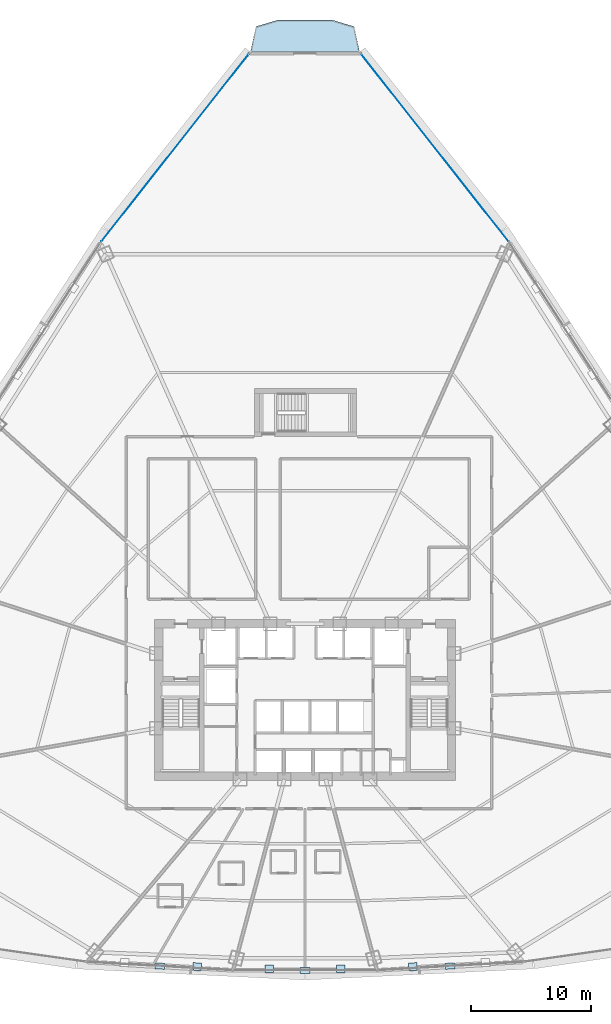
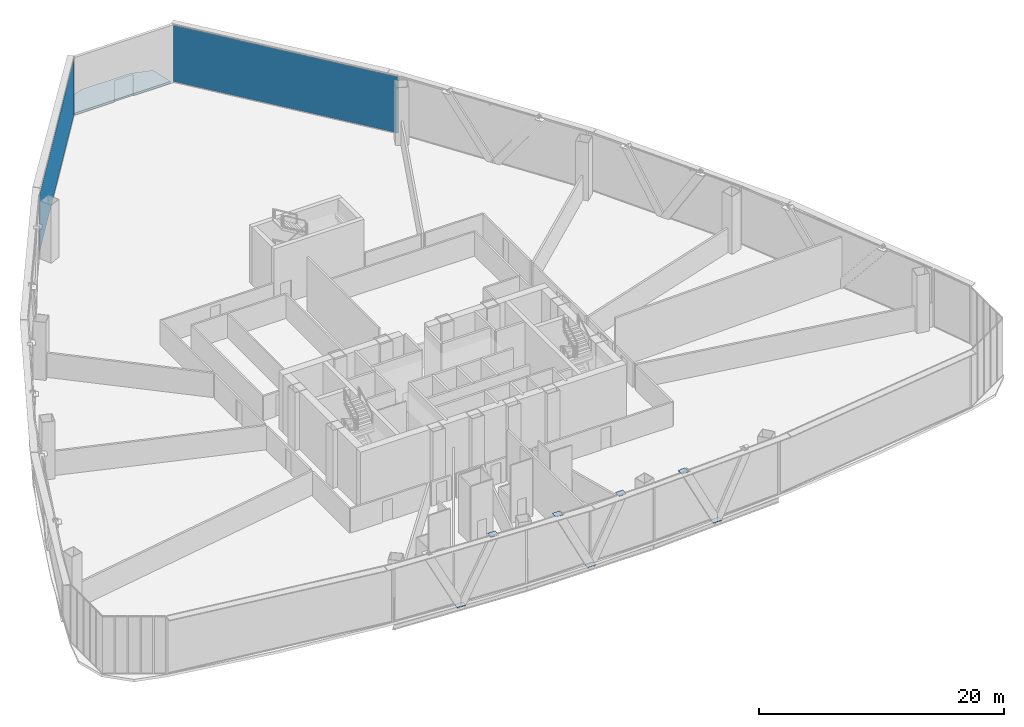
# One storey, part 32 of 41: 9 plates, 1 slab, 2 elements without a shape of their own.
"""IFC4 building model written with IfcOpenShell, lengths in metres."""

from ifc_helpers import new_model, si_unit, direction, frame, origin, origin_2d, place, context, subcontext, project, spatial, polyline, rectangle, outline, extrude, source, transform, mapped, material, layer, layer_set, type_object, element, aggregate, save


model = new_model("IFC4")

# Units and contexts
model_context = context("Model", 3, precision=1e-05, world=origin(), true_north=direction((0.0, 1.0)))
body_context = subcontext(model_context, "Body", "Model", "MODEL_VIEW")
ifc_project = project(units=[si_unit("LENGTHUNIT", "METRE"), si_unit("AREAUNIT", "SQUARE_METRE"), si_unit("VOLUMEUNIT", "CUBIC_METRE"), si_unit("PLANEANGLEUNIT", "RADIAN"), si_unit("MASSUNIT", "GRAM", prefix="KILO"), si_unit("THERMODYNAMICTEMPERATUREUNIT", "KELVIN"), si_unit("POWERUNIT", "WATT")], contexts=[model_context])

# Site, building, storey
site_placement = place(None, origin())
site = spatial("IfcSite", under=ifc_project, at=site_placement, CompositionType="ELEMENT")
building_placement = place(site_placement, origin())
building = spatial("IfcBuilding", under=site, at=building_placement, Name="Yunzhuo Pagoda Commons", CompositionType="ELEMENT")
storey_placement = place(building_placement, frame((0.0, 0.0, 70.330078125)))
storey = spatial("IfcBuildingStorey", under=building, at=storey_placement, Name="L18", CompositionType="ELEMENT", Elevation=70.330078125)

# Slab
ifc_material_1 = material(Name="Concrete C40", Category="concrete")
ifc_layer_1 = layer(ifc_material_1, 0.199951171875)
ifc_layer_set_1 = layer_set([ifc_layer_1], Name="Concrete C40")
slab_type = type_object("IfcSlabType", Name="SL-BAL Vertex Balcony Deck Slab 200", PredefinedType="FLOOR", material=ifc_layer_set_1)
slab_placement = place(storey_placement, frame((0.0, 0.0, -0.2001953125)))
element("IfcSlab", 1, at=slab_placement, inside=storey, type_object=slab_type, Name="L18 corner balcony V3", PredefinedType="FLOOR", context=body_context, shape_type="SweptSolid", body=[
    extrude(outline(polyline([(52.54296875, 87.8701171875), (43.45703125, 87.8701171875), (43.906982421875, 89.965087890625), (45.728515625, 90.51513671875), (50.271484375, 90.51513671875), (52.093017578125, 89.965087890625), (52.54296875, 87.8701171875)])), origin(), (0.0, 0.0, 1.0), 0.2001953125),
])

# Plates
ifc_material_2 = material(Name="Structural steel Q355B", Category="steel")
ifc_layer_2 = layer(ifc_material_2, 0.028076171875)
ifc_layer_set_2 = layer_set([ifc_layer_2], Name="Structural steel Q355B")
plate_type_1 = type_object("IfcPlateType", Name="SP-ND1 Lattice Node Cap Plate 800x500x28", PredefinedType="USERDEFINED", material=ifc_layer_set_2)
shared_shape_1 = source(origin(), body_context, "Body", "SweptSolid", [
    extrude(rectangle(XDim=0.800048828125, YDim=0.5, at=origin_2d()), origin(), (0.0, 0.0, 1.0), 0.028076171875),
])
for number, where, z_axis, x_axis, name in (
    (2, (35.91650390625, 11.68896484375, -0.27392578125), (0.0, 0.0, 1.0), (0.998342821144, -0.057546602599, 0.0), "L18 diamond node plate F1.1A"),
    (3, (48.0, 11.337890625, -0.27392578125), (0.0, 0.0, 1.0), (1.0, 0.0, 0.0), "L18 diamond node plate F1.2A"),
    (4, (60.08349609375, 11.68896484375, -0.27392578125), (0.0, 0.0, 1.0), (0.998342821144, 0.057546602599, 0.0), "L18 diamond node plate F1.3A"),
):
    element("IfcPlate", number, at=place(storey_placement, frame(where, z_axis=z_axis, x_axis=x_axis)), inside=storey, type_object=plate_type_1, Name=name, ObjectType="STIFFENER_PLATE", PredefinedType="USERDEFINED", context=body_context, shape_type="MappedRepresentation", body=[
        mapped(shared_shape_1, transform((0.0, 0.0, 0.0), scale=1.0)),
    ])
shared_shape_2 = source(origin(), body_context, "Body", "SweptSolid", [
    extrude(rectangle(XDim=0.699951171875, YDim=0.631591796875, at=origin_2d()), origin(), (0.0, 0.0, 1.0), 0.035888671875),
])
for number, where, z_axis, x_axis, name in (
    (5, (39.015380859375, 11.643798828125, 5.73193359375), (0.0, 0.0, 1.0), (0.998342821144, -0.057546602599, 0.0), "L18 setback lattice tie plate F1.1R"),
    (6, (56.984619140625, 11.643798828125, 5.73193359375), (0.0, 0.0, 1.0), (0.998342821144, 0.057546602599, 0.0), "L18 setback lattice tie plate F1.3L"),
):
    element("IfcPlate", number, at=place(storey_placement, frame(where, z_axis=z_axis, x_axis=x_axis)), inside=storey, type_object=plate_type_1, Name=name, ObjectType="STIFFENER_PLATE", PredefinedType="USERDEFINED", context=body_context, shape_type="MappedRepresentation", body=[
        mapped(shared_shape_2, transform((0.0, 0.0, 0.0), scale=1.0)),
    ])
shared_shape_3 = source(origin(), body_context, "Body", "SweptSolid", [
    extrude(rectangle(XDim=0.699951171875, YDim=0.61572265625, at=origin_2d()), origin(), (0.0, 0.0, 1.0), 0.035888671875),
])
for number, where, z_axis, x_axis, name in (
    (7, (45.021484375, 11.469482421875, 5.73193359375), (0.0, 0.0, 1.0), (1.0, 0.0, 0.0), "L18 setback lattice tie plate F1.2L"),
    (8, (50.978515625, 11.469482421875, 5.73193359375), (0.0, 0.0, 1.0), (1.0, 0.0, 0.0), "L18 setback lattice tie plate F1.2R"),
):
    element("IfcPlate", number, at=place(storey_placement, frame(where, z_axis=z_axis, x_axis=x_axis)), inside=storey, type_object=plate_type_1, Name=name, ObjectType="STIFFENER_PLATE", PredefinedType="USERDEFINED", context=body_context, shape_type="MappedRepresentation", body=[
        mapped(shared_shape_3, transform((0.0, 0.0, 0.0), scale=1.0)),
    ])

# Curtain wall, plate
ifc_material_3 = material(Name="Anodized aluminium 6063-T6", Category="aluminium")
ifc_layer_3 = layer(ifc_material_3, 0.1650390625)
ifc_layer_set_3 = layer_set([ifc_layer_3], Name="Anodized aluminium 6063-T6")
curtain_wall_type = type_object("IfcCurtainWallType", Name="CW-LOW Low-Zone Ribbon Curtain Wall", PredefinedType="NOTDEFINED", material=ifc_layer_set_3)
curtain_wall_1_placement = place(storey_placement, origin())
curtain_wall_1 = element("IfcCurtainWall", 9, at=curtain_wall_1_placement, inside=storey, type_object=curtain_wall_type, Name="L18 curtain wall CW-L18-F2B5", PredefinedType="NOTDEFINED")
ifc_material_4 = material(Name="Tempered low-e double glazing", Category="glass")
ifc_layer_4 = layer(ifc_material_4, 0.028076171875)
ifc_layer_set_4 = layer_set([ifc_layer_4], Name="Tempered low-e double glazing")
plate_type_2 = type_object("IfcPlateType", Name="CW-LOW-P Low-E Double Glazing 28", PredefinedType="CURTAIN_PANEL", material=ifc_layer_set_4)
shared_shape_4 = source(origin(), body_context, "Body", "SweptSolid", [
    extrude(rectangle(XDim=19.854248046875, YDim=0.028076171875, at=origin_2d()), origin(), (0.0, 0.0, 1.0), 5.64990234375),
])
plate_1_placement = place(storey_placement, frame((58.814697265625, 79.880859375, 0.06005859375), z_axis=(0.0, 0.0, 1.0), x_axis=(-0.618168232602, 0.78604582322, 0.0)))
plate_1 = element("IfcPlate", 10, at=plate_1_placement, type_object=plate_type_2, Name="CW panel 1.1", PredefinedType="CURTAIN_PANEL", context=body_context, shape_type="MappedRepresentation", body=[
    mapped(shared_shape_4, transform((0.0, 0.0, 0.0), scale=1.0)),
])
aggregate(curtain_wall_1, [plate_1])

curtain_wall_2_placement = place(storey_placement, origin())
curtain_wall_2 = element("IfcCurtainWall", 11, at=curtain_wall_2_placement, inside=storey, type_object=curtain_wall_type, Name="L18 curtain wall CW-L18-F3B1", PredefinedType="NOTDEFINED")
plate_2_placement = place(storey_placement, frame((37.185302734375, 79.880859375, 0.06005859375), z_axis=(0.0, 0.0, 1.0), x_axis=(-0.618168232602, -0.78604582322, 0.0)))
plate_2 = element("IfcPlate", 12, at=plate_2_placement, type_object=plate_type_2, Name="CW panel 1.1", PredefinedType="CURTAIN_PANEL", context=body_context, shape_type="MappedRepresentation", body=[
    mapped(shared_shape_4, transform((0.0, 0.0, 0.0), scale=1.0)),
])
aggregate(curtain_wall_2, [plate_2])

save(model, "model.ifc")
